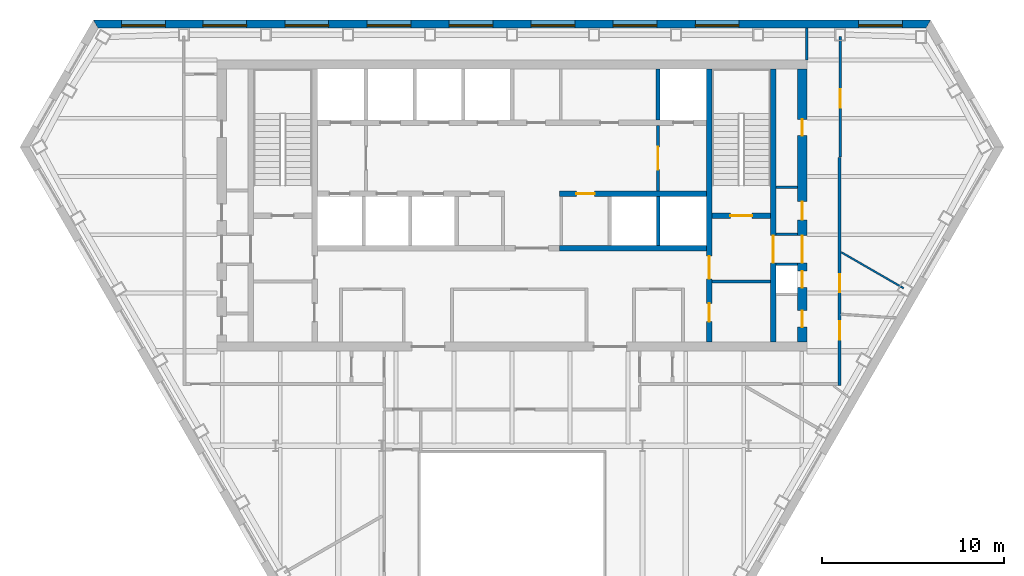
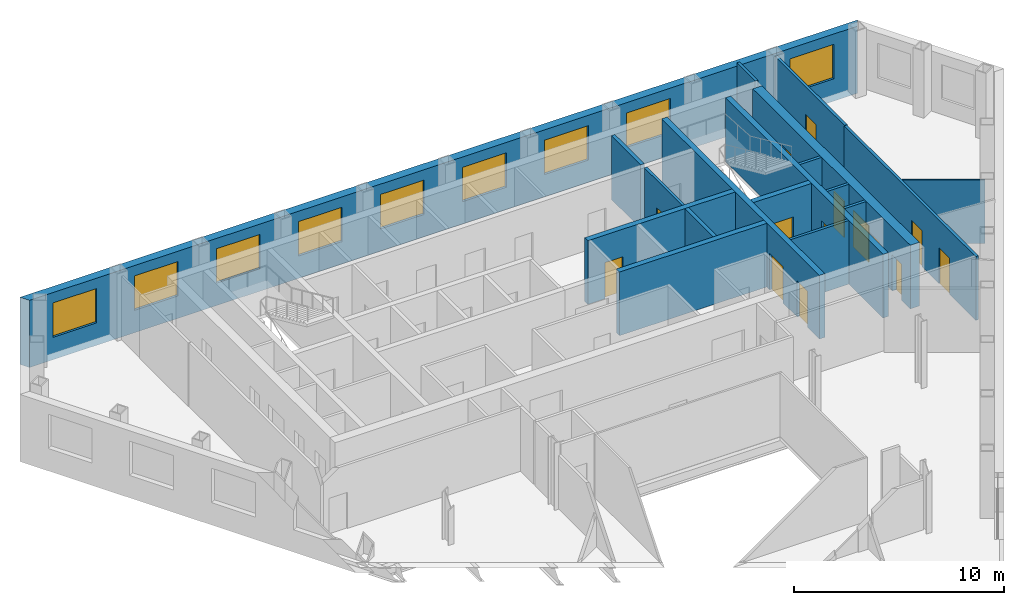
# One storey, part 7 of 11: 18 walls, 14 doors, 9 windows, 23 openings.
"""IFC4 building model written with IfcOpenShell, lengths in metres."""

from ifc_helpers import new_model, si_unit, direction, frame, frame_2d, origin, place, context, subcontext, project, spatial, polyline, rectangle, outline, extrude, material, layer, layer_set, type_object, element, fill, save


model = new_model("IFC4")

# Units and contexts
model_context = context("Model", 3, precision=1e-05, world=origin(), true_north=direction((0.0, 1.0)))
body_context = subcontext(model_context, "Body", "Model", "MODEL_VIEW")
ifc_project = project(units=[si_unit("LENGTHUNIT", "METRE"), si_unit("AREAUNIT", "SQUARE_METRE"), si_unit("VOLUMEUNIT", "CUBIC_METRE"), si_unit("PLANEANGLEUNIT", "RADIAN"), si_unit("MASSUNIT", "GRAM", prefix="KILO")], contexts=[model_context])

# Site, building, storey
site_placement = place(None, origin())
site = spatial("IfcSite", under=ifc_project, at=site_placement, CompositionType="ELEMENT")
building_placement = place(site_placement, origin())
building = spatial("IfcBuilding", under=site, at=building_placement, Name="Njiva Tower", CompositionType="ELEMENT")
storey_placement = place(building_placement, frame((0.0, 0.0, 178.8)))
storey = spatial("IfcBuildingStorey", under=building, at=storey_placement, Name="L39", CompositionType="ELEMENT", Elevation=178.8)

# Walls
ifc_material_1 = material(Name="Blockwork", Category="masonry")
ifc_layer_1 = layer(ifc_material_1, 0.15)
ifc_layer_set_1 = layer_set([ifc_layer_1], Name="Blockwork")
wall_type_1 = type_object("IfcWallType", Name="WT1 Compartment partition 150", PredefinedType="PARTITIONING", material=ifc_layer_set_1)
wall_1_placement = place(storey_placement, frame((11.0, 5.825, 0.0), z_axis=(0.0, 0.0, 1.0), x_axis=(1.0, 0.0, 0.0)))
element("IfcWall", 1, at=wall_1_placement, inside=storey, type_object=wall_type_1, Name="Room wall B", PredefinedType="PARTITIONING", context=body_context, shape_type="SweptSolid", body=[
    extrude(rectangle(XDim=3.2, YDim=0.15, at=frame_2d((1.6, 0.0))), origin(), (0.0, 0.0, 1.0), 3.7),
])
wall_2_placement = place(storey_placement, frame((14.5, 11.0067, 0.0), z_axis=(0.0, 0.0, 1.0), x_axis=(1.0, 0.0, 0.0)))
element("IfcWall", 2, at=wall_2_placement, inside=storey, type_object=wall_type_1, Name="Partition strip E10", PredefinedType="PARTITIONING", context=body_context, shape_type="SweptSolid", body=[
    extrude(rectangle(XDim=1.2, YDim=0.15, at=frame_2d((0.6, 0.0))), origin(), (0.0, 0.0, 1.0), 3.7),
])

# Wall, openings, doors
ifc_material_2 = material(Name="Concrete C40/50", Category="concrete")
ifc_layer_2 = layer(ifc_material_2, 0.3)
ifc_layer_set_2 = layer_set([ifc_layer_2], Name="Concrete C40/50")
wall_type_2 = type_object("IfcWallType", Name="WT10 Stair enclosure wall 300", PredefinedType="SHEAR", material=ifc_layer_set_2)
wall_3_placement = place(storey_placement, frame((10.85, 2.5, 0.0), z_axis=(0.0, 0.0, 1.0), x_axis=(0.0, 1.0, 0.0)))
wall_3 = element("IfcWall", 3, at=wall_3_placement, inside=storey, type_object=wall_type_2, Name="Stair wall east inner", PredefinedType="SHEAR", context=body_context, shape_type="SweptSolid", body=[
    extrude(rectangle(XDim=15.0, YDim=0.3, at=frame_2d((7.5, 0.0))), origin(), (0.0, 0.0, 1.0), 3.7),
])
opening_1_placement = place(wall_3_placement, frame((3.475, 0.0, 0.0)))
opening_1 = element("IfcOpeningElement", 4, at=opening_1_placement, cuts=wall_3, Name="Opening S13-D919", PredefinedType="OPENING", context=body_context, shape_type="SweptSolid", body=[
    extrude(rectangle(XDim=1.25, YDim=2.1, at=frame_2d((0.625, 1.05))), frame((0.0, 0.16, 0.0), z_axis=(0.0, -1.0, 0.0), x_axis=(1.0, 0.0, 0.0)), (0.0, 0.0, 1.0), 0.32),
])
opening_2_placement = place(wall_3_placement, frame((1.125, 0.0, 0.0)))
opening_2 = element("IfcOpeningElement", 5, at=opening_2_placement, cuts=wall_3, Name="Opening S13-D920", PredefinedType="OPENING", context=body_context, shape_type="SweptSolid", body=[
    extrude(rectangle(XDim=1.0, YDim=2.1, at=frame_2d((0.5, 1.05))), frame((0.0, 0.16, 0.0), z_axis=(0.0, -1.0, 0.0), x_axis=(1.0, 0.0, 0.0)), (0.0, 0.0, 1.0), 0.32),
])
ifc_material_3 = material(Name="Steel door, painted", Category="steel")
door_type_1 = type_object("IfcDoorType", Name="D5 Steel door 1000x2100", OperationType="SINGLE_SWING_LEFT", PredefinedType="DOOR", material=ifc_material_3)
door_1_placement = place(opening_2_placement, origin())
door_1 = element("IfcDoor", 6, at=door_1_placement, inside=storey, type_object=door_type_1, Name="Business centre door", OperationType="SINGLE_SWING_LEFT", OverallHeight=2.1, OverallWidth=1.0, PredefinedType="DOOR", context=body_context, shape_type="SweptSolid", body=[
    extrude(rectangle(XDim=1.0, YDim=2.1, at=frame_2d((0.5, 1.05))), frame((0.0, 0.025, 0.0), z_axis=(0.0, -1.0, 0.0), x_axis=(1.0, 0.0, 0.0)), (0.0, 0.0, 1.0), 0.05),
])
fill(opening_2, door_1)
ifc_material_4 = material(Name="Glazed steel fire door", Category="steel")
door_type_2 = type_object("IfcDoorType", Name="D8 Vestibule corridor door 1250x2100 glazed", OperationType="SINGLE_SWING_LEFT", PredefinedType="DOOR", material=ifc_material_4)
door_2_placement = place(opening_1_placement, origin())
door_2 = element("IfcDoor", 7, at=door_2_placement, inside=storey, type_object=door_type_2, Name="Stair vestibule corridor door", OperationType="SINGLE_SWING_RIGHT", OverallHeight=2.1, OverallWidth=1.25, PredefinedType="DOOR", context=body_context, shape_type="SweptSolid", body=[
    extrude(rectangle(XDim=1.25, YDim=2.1, at=frame_2d((0.625, 1.05))), frame((0.0, 0.025, 0.0), z_axis=(0.0, -1.0, 0.0), x_axis=(1.0, 0.0, 0.0)), (0.0, 0.0, 1.0), 0.05),
])
fill(opening_1, door_2)

# Wall, opening, door
wall_4_placement = place(storey_placement, frame((14.35, 2.5, 0.0), z_axis=(0.0, 0.0, 1.0), x_axis=(0.0, 1.0, 0.0)))
wall_4 = element("IfcWall", 8, at=wall_4_placement, inside=storey, type_object=wall_type_2, Name="Stair wall east outer", PredefinedType="SHEAR", context=body_context, shape_type="SweptSolid", body=[
    extrude(rectangle(XDim=15.0, YDim=0.3, at=frame_2d((7.5, 0.0))), origin(), (0.0, 0.0, 1.0), 3.7),
])
opening_3_placement = place(wall_4_placement, frame((4.35, 0.0, 0.0)))
opening_3 = element("IfcOpeningElement", 9, at=opening_3_placement, cuts=wall_4, Name="Opening S13-D927", PredefinedType="OPENING", context=body_context, shape_type="SweptSolid", body=[
    extrude(rectangle(XDim=1.5, YDim=2.1, at=frame_2d((0.75, 1.05))), frame((0.0, 0.16, 0.0), z_axis=(0.0, -1.0, 0.0), x_axis=(1.0, 0.0, 0.0)), (0.0, 0.0, 1.0), 0.32),
])
door_type_3 = type_object("IfcDoorType", Name="D10 Exit door double 1500x2100 glazed", OperationType="DOUBLE_DOOR_SINGLE_SWING", PredefinedType="DOOR", material=ifc_material_4)
door_3_placement = place(opening_3_placement, origin())
door_3 = element("IfcDoor", 10, at=door_3_placement, inside=storey, type_object=door_type_3, Name="Stair B passage door", OperationType="DOUBLE_DOOR_SINGLE_SWING", OverallHeight=2.1, OverallWidth=1.5, PredefinedType="DOOR", context=body_context, shape_type="SweptSolid", body=[
    extrude(rectangle(XDim=1.5, YDim=2.1, at=frame_2d((0.75, 1.05))), frame((0.0, 0.025, 0.0), z_axis=(0.0, -1.0, 0.0), x_axis=(1.0, 0.0, 0.0)), (0.0, 0.0, 1.0), 0.05),
])
fill(opening_3, door_3)

wall_5_placement = place(storey_placement, frame((11.0, 9.45, 0.0), z_axis=(0.0, 0.0, 1.0), x_axis=(1.0, 0.0, 0.0)))
wall_5 = element("IfcWall", 11, at=wall_5_placement, inside=storey, type_object=wall_type_2, Name="Stair B south wall", PredefinedType="SHEAR", context=body_context, shape_type="SweptSolid", body=[
    extrude(rectangle(XDim=3.2, YDim=0.3, at=frame_2d((1.6, 0.0))), origin(), (0.0, 0.0, 1.0), 3.7),
])
opening_4_placement = place(wall_5_placement, frame((1.0, 0.0, 0.0)))
opening_4 = element("IfcOpeningElement", 12, at=opening_4_placement, cuts=wall_5, Name="Opening S13-D918", PredefinedType="OPENING", context=body_context, shape_type="SweptSolid", body=[
    extrude(rectangle(XDim=1.2, YDim=2.1, at=frame_2d((0.6, 1.05))), frame((0.0, 0.16, 0.0), z_axis=(0.0, -1.0, 0.0), x_axis=(1.0, 0.0, 0.0)), (0.0, 0.0, 1.0), 0.32),
])
door_type_4 = type_object("IfcDoorType", Name="D7 Stair vestibule door 1200x2100 glazed", OperationType="SINGLE_SWING_LEFT", PredefinedType="DOOR", material=ifc_material_4)
door_4_placement = place(opening_4_placement, origin())
door_4 = element("IfcDoor", 13, at=door_4_placement, inside=storey, type_object=door_type_4, Name="Stair B door", OperationType="SINGLE_SWING_LEFT", OverallHeight=2.1, OverallWidth=1.2, PredefinedType="DOOR", context=body_context, shape_type="SweptSolid", body=[
    extrude(rectangle(XDim=1.2, YDim=2.1, at=frame_2d((0.6, 1.05))), frame((0.0, 0.025, 0.0), z_axis=(0.0, -1.0, 0.0), x_axis=(1.0, 0.0, 0.0)), (0.0, 0.0, 1.0), 0.05),
])
fill(opening_4, door_4)

# Wall, openings, doors
ifc_material_5 = material(Name="Concrete C60/75", Category="concrete")
ifc_layer_3 = layer(ifc_material_5, 0.5)
ifc_layer_set_3 = layer_set([ifc_layer_3], Name="Concrete C60/75")
wall_type_3 = type_object("IfcWallType", Name="WT13 Core wall 500", PredefinedType="SHEAR", material=ifc_layer_set_3)
wall_6_placement = place(storey_placement, frame((15.95, 2.5, 0.0), z_axis=(0.0, 0.0, 1.0), x_axis=(0.0, 1.0, 0.0)))
wall_6 = element("IfcWall", 14, at=wall_6_placement, inside=storey, type_object=wall_type_3, Name="Core wall east", PredefinedType="SHEAR", context=body_context, shape_type="SweptSolid", body=[
    extrude(rectangle(XDim=15.0, YDim=0.5, at=frame_2d((7.5, 0.0))), origin(), (0.0, 0.0, 1.0), 3.7),
])
opening_5_placement = place(wall_6_placement, frame((4.35, 0.0, 0.0)))
opening_5 = element("IfcOpeningElement", 15, at=opening_5_placement, cuts=wall_6, Name="Opening S13-D928", PredefinedType="OPENING", context=body_context, shape_type="SweptSolid", body=[
    extrude(rectangle(XDim=1.5, YDim=2.1, at=frame_2d((0.75, 1.05))), frame((0.0, 0.26, 0.0), z_axis=(0.0, -1.0, 0.0), x_axis=(1.0, 0.0, 0.0)), (0.0, 0.0, 1.0), 0.52),
])
opening_6_placement = place(wall_6_placement, frame((0.825, 0.0, 0.0)))
opening_6 = element("IfcOpeningElement", 16, at=opening_6_placement, cuts=wall_6, Name="Opening S13-D929", PredefinedType="OPENING", context=body_context, shape_type="SweptSolid", body=[
    extrude(rectangle(XDim=0.9, YDim=2.1, at=frame_2d((0.45, 1.05))), frame((0.0, 0.26, 0.0), z_axis=(0.0, -1.0, 0.0), x_axis=(1.0, 0.0, 0.0)), (0.0, 0.0, 1.0), 0.52),
])
opening_7_placement = place(wall_6_placement, frame((3.0, 0.0, 0.0)))
opening_7 = element("IfcOpeningElement", 17, at=opening_7_placement, cuts=wall_6, Name="Opening S13-D930", PredefinedType="OPENING", context=body_context, shape_type="SweptSolid", body=[
    extrude(rectangle(XDim=0.9, YDim=2.1, at=frame_2d((0.45, 1.05))), frame((0.0, 0.26, 0.0), z_axis=(0.0, -1.0, 0.0), x_axis=(1.0, 0.0, 0.0)), (0.0, 0.0, 1.0), 0.52),
])
opening_8_placement = place(wall_6_placement, frame((6.7158, 0.0, 0.0)))
opening_8 = element("IfcOpeningElement", 18, at=opening_8_placement, cuts=wall_6, Name="Opening S13-D931", PredefinedType="OPENING", context=body_context, shape_type="SweptSolid", body=[
    extrude(rectangle(XDim=1.0, YDim=2.1, at=frame_2d((0.5, 1.05))), frame((0.0, 0.26, 0.0), z_axis=(0.0, -1.0, 0.0), x_axis=(1.0, 0.0, 0.0)), (0.0, 0.0, 1.0), 0.52),
])
opening_9_placement = place(wall_6_placement, frame((11.3408, 0.0, 0.0)))
opening_9 = element("IfcOpeningElement", 19, at=opening_9_placement, cuts=wall_6, Name="Opening S13-D932", PredefinedType="OPENING", context=body_context, shape_type="SweptSolid", body=[
    extrude(rectangle(XDim=0.9, YDim=2.1, at=frame_2d((0.45, 1.05))), frame((0.0, 0.26, 0.0), z_axis=(0.0, -1.0, 0.0), x_axis=(1.0, 0.0, 0.0)), (0.0, 0.0, 1.0), 0.52),
])
door_5_placement = place(opening_5_placement, origin())
door_5 = element("IfcDoor", 20, at=door_5_placement, inside=storey, type_object=door_type_3, Name="Stair B corridor door", OperationType="DOUBLE_DOOR_SINGLE_SWING", OverallHeight=2.1, OverallWidth=1.5, PredefinedType="DOOR", context=body_context, shape_type="SweptSolid", body=[
    extrude(rectangle(XDim=1.5, YDim=2.1, at=frame_2d((0.75, 1.05))), frame((0.0, 0.025, 0.0), z_axis=(0.0, -1.0, 0.0), x_axis=(1.0, 0.0, 0.0)), (0.0, 0.0, 1.0), 0.05),
])
fill(opening_5, door_5)
door_type_5 = type_object("IfcDoorType", Name="D4 Riser door 900x2100", OperationType="SINGLE_SWING_LEFT", PredefinedType="DOOR", material=ifc_material_3)
door_6_placement = place(opening_7_placement, origin())
door_6 = element("IfcDoor", 21, at=door_6_placement, inside=storey, type_object=door_type_5, Name="Cable riser door", OperationType="SINGLE_SWING_LEFT", OverallHeight=2.1, OverallWidth=0.9, PredefinedType="DOOR", context=body_context, shape_type="SweptSolid", body=[
    extrude(rectangle(XDim=0.9, YDim=2.1, at=frame_2d((0.45, 1.05))), frame((0.0, 0.025, 0.0), z_axis=(0.0, -1.0, 0.0), x_axis=(1.0, 0.0, 0.0)), (0.0, 0.0, 1.0), 0.05),
])
fill(opening_7, door_6)
door_7_placement = place(opening_8_placement, origin())
door_7 = element("IfcDoor", 22, at=door_7_placement, inside=storey, type_object=door_type_1, Name="Telecoms room door", OperationType="SINGLE_SWING_LEFT", OverallHeight=2.1, OverallWidth=1.0, PredefinedType="DOOR", context=body_context, shape_type="SweptSolid", body=[
    extrude(rectangle(XDim=1.0, YDim=2.1, at=frame_2d((0.5, 1.05))), frame((0.0, 0.025, 0.0), z_axis=(0.0, -1.0, 0.0), x_axis=(1.0, 0.0, 0.0)), (0.0, 0.0, 1.0), 0.05),
])
fill(opening_8, door_7)
ifc_material_6 = material(Name="Steel fire door, painted", Category="steel")
door_type_6 = type_object("IfcDoorType", Name="D6 Fire-rated door 900x2100", OperationType="SINGLE_SWING_LEFT", PredefinedType="DOOR", material=ifc_material_6)
door_8_placement = place(opening_6_placement, origin())
door_8 = element("IfcDoor", 23, at=door_8_placement, inside=storey, type_object=door_type_6, Name="Cable store door", OperationType="SINGLE_SWING_LEFT", OverallHeight=2.1, OverallWidth=0.9, PredefinedType="DOOR", context=body_context, shape_type="SweptSolid", body=[
    extrude(rectangle(XDim=0.9, YDim=2.1, at=frame_2d((0.45, 1.05))), frame((0.0, 0.025, 0.0), z_axis=(0.0, -1.0, 0.0), x_axis=(1.0, 0.0, 0.0)), (0.0, 0.0, 1.0), 0.05),
])
fill(opening_6, door_8)
door_9_placement = place(opening_9_placement, origin())
door_9 = element("IfcDoor", 24, at=door_9_placement, inside=storey, type_object=door_type_6, Name="Cable store door", OperationType="SINGLE_SWING_RIGHT", OverallHeight=2.1, OverallWidth=0.9, PredefinedType="DOOR", context=body_context, shape_type="SweptSolid", body=[
    extrude(rectangle(XDim=0.9, YDim=2.1, at=frame_2d((0.45, 1.05))), frame((0.0, 0.025, 0.0), z_axis=(0.0, -1.0, 0.0), x_axis=(1.0, 0.0, 0.0)), (0.0, 0.0, 1.0), 0.05),
])
fill(opening_9, door_9)

# Wall, opening, door
ifc_layer_4 = layer(ifc_material_1, 0.15)
ifc_layer_set_4 = layer_set([ifc_layer_4], Name="Blockwork")
wall_type_4 = type_object("IfcWallType", Name="WT2 Lobby partition 150", PredefinedType="PARTITIONING", material=ifc_layer_set_4)
wall_7_placement = place(storey_placement, frame((8.025, 10.8, 0.0), z_axis=(0.0, 0.0, 1.0), x_axis=(0.0, 1.0, 0.0)))
wall_7 = element("IfcWall", 25, at=wall_7_placement, inside=storey, type_object=wall_type_4, Name="Firefighting lobby wall B", PredefinedType="PARTITIONING", context=body_context, shape_type="SweptSolid", body=[
    extrude(rectangle(XDim=3.6, YDim=0.15, at=frame_2d((1.8, 0.0))), origin(), (0.0, 0.0, 1.0), 3.7),
])
opening_10_placement = place(wall_7_placement, frame((1.175, 0.0, 0.0)))
opening_10 = element("IfcOpeningElement", 26, at=opening_10_placement, cuts=wall_7, Name="Opening S13-D917", PredefinedType="OPENING", context=body_context, shape_type="SweptSolid", body=[
    extrude(rectangle(XDim=1.25, YDim=2.1, at=frame_2d((0.625, 1.05))), frame((0.0, 0.085, 0.0), z_axis=(0.0, -1.0, 0.0), x_axis=(1.0, 0.0, 0.0)), (0.0, 0.0, 1.0), 0.17),
])
door_10_placement = place(opening_10_placement, origin())
door_10 = element("IfcDoor", 27, at=door_10_placement, inside=storey, type_object=door_type_2, Name="Stair vestibule corridor door", OperationType="SINGLE_SWING_LEFT", OverallHeight=2.1, OverallWidth=1.25, PredefinedType="DOOR", context=body_context, shape_type="SweptSolid", body=[
    extrude(rectangle(XDim=1.25, YDim=2.1, at=frame_2d((0.625, 1.05))), frame((0.0, 0.025, 0.0), z_axis=(0.0, -1.0, 0.0), x_axis=(1.0, 0.0, 0.0)), (0.0, 0.0, 1.0), 0.05),
])
fill(opening_10, door_10)

# Walls
ifc_material_7 = material(Name="Gypsum board on steel studs", Category="gypsum")
ifc_layer_5 = layer(ifc_material_7, 0.1)
ifc_layer_set_5 = layer_set([ifc_layer_5], Name="Gypsum board on steel studs")
wall_type_5 = type_object("IfcWallType", Name="WT20 Gypsum partition 100", PredefinedType="PARTITIONING", material=ifc_layer_set_5)
wall_8_placement = place(storey_placement, frame((18.1, 7.434, 0.0), z_axis=(0.0, 0.0, 1.0), x_axis=(0.866113839764, -0.499846793097, 0.0)))
element("IfcWall", 28, at=wall_8_placement, inside=storey, type_object=wall_type_5, Name="Partition S13-P030", PredefinedType="PARTITIONING", context=body_context, shape_type="SweptSolid", body=[
    extrude(rectangle(XDim=3.9452, YDim=0.1, at=frame_2d((1.9726, 0.0))), origin(), (0.0, 0.0, 1.0), 3.7),
])
ifc_layer_6 = layer(ifc_material_7, 0.15)
ifc_layer_set_6 = layer_set([ifc_layer_6], Name="Gypsum board on steel studs")
wall_type_6 = type_object("IfcWallType", Name="WT21 Compartment wall 150", PredefinedType="PARTITIONING", material=ifc_layer_set_6)
wall_9_placement = place(storey_placement, frame((16.2, 18.0, 0.0), z_axis=(0.0, 0.0, 1.0), x_axis=(0.0, 1.0, 0.0)))
element("IfcWall", 29, at=wall_9_placement, inside=storey, type_object=wall_type_6, Name="Partition S13-P025", PredefinedType="PARTITIONING", context=body_context, shape_type="SweptSolid", body=[
    extrude(rectangle(XDim=1.75, YDim=0.15, at=frame_2d((0.875, 0.0))), origin(), (0.0, 0.0, 1.0), 3.7),
])

# Wall, openings, doors
wall_10_placement = place(storey_placement, frame((18.0, 0.125, 0.0), z_axis=(0.0, 0.0, 1.0), x_axis=(0.0, 1.0, 0.0)))
wall_10 = element("IfcWall", 30, at=wall_10_placement, inside=storey, type_object=wall_type_6, Name="Partition S13-P027", PredefinedType="PARTITIONING", context=body_context, shape_type="SweptSolid", body=[
    extrude(rectangle(XDim=12.531, YDim=0.15, at=frame_2d((6.2655, 0.0))), origin(), (0.0, 0.0, 1.0), 3.7),
])
opening_11_placement = place(wall_10_placement, frame((2.51, 0.0, 0.0)))
opening_11 = element("IfcOpeningElement", 31, at=opening_11_placement, cuts=wall_10, Name="Opening S13-D013", PredefinedType="OPENING", context=body_context, shape_type="SweptSolid", body=[
    extrude(rectangle(XDim=1.0, YDim=2.1, at=frame_2d((0.5, 1.05))), frame((0.0, 0.085, 0.0), z_axis=(0.0, -1.0, 0.0), x_axis=(1.0, 0.0, 0.0)), (0.0, 0.0, 1.0), 0.17),
])
opening_12_placement = place(wall_10_placement, frame((5.114, 0.0, 0.0)))
opening_12 = element("IfcOpeningElement", 32, at=opening_12_placement, cuts=wall_10, Name="Opening S13-D014", PredefinedType="OPENING", context=body_context, shape_type="SweptSolid", body=[
    extrude(rectangle(XDim=1.0, YDim=2.1, at=frame_2d((0.5, 1.05))), frame((0.0, 0.085, 0.0), z_axis=(0.0, -1.0, 0.0), x_axis=(1.0, 0.0, 0.0)), (0.0, 0.0, 1.0), 0.17),
])
ifc_material_8 = material(Name="Steel fire door set", Category="steel")
door_type_7 = type_object("IfcDoorType", Name="D37 Fire door 1000x2100", OperationType="SINGLE_SWING_LEFT", PredefinedType="DOOR", material=ifc_material_8)
door_11_placement = place(opening_11_placement, origin())
door_11 = element("IfcDoor", 33, at=door_11_placement, inside=storey, type_object=door_type_7, Name="Door S13-D013", OperationType="SINGLE_SWING_LEFT", OverallHeight=2.1, OverallWidth=1.0, PredefinedType="DOOR", context=body_context, shape_type="SweptSolid", body=[
    extrude(rectangle(XDim=1.0, YDim=2.1, at=frame_2d((0.5, 1.05))), frame((0.0, 0.025, 0.0), z_axis=(0.0, -1.0, 0.0), x_axis=(1.0, 0.0, 0.0)), (0.0, 0.0, 1.0), 0.05),
])
fill(opening_11, door_11)
door_12_placement = place(opening_12_placement, origin())
door_12 = element("IfcDoor", 34, at=door_12_placement, inside=storey, type_object=door_type_7, Name="Door S13-D014", OperationType="SINGLE_SWING_LEFT", OverallHeight=2.1, OverallWidth=1.0, PredefinedType="DOOR", context=body_context, shape_type="SweptSolid", body=[
    extrude(rectangle(XDim=1.0, YDim=2.1, at=frame_2d((0.5, 1.05))), frame((0.0, 0.025, 0.0), z_axis=(0.0, -1.0, 0.0), x_axis=(1.0, 0.0, 0.0)), (0.0, 0.0, 1.0), 0.05),
])
fill(opening_12, door_12)

# Wall, opening, door
wall_11_placement = place(storey_placement, frame((18.035, 12.678, 0.0), z_axis=(0.0, 0.0, 1.0), x_axis=(0.0, 1.0, 0.0)))
wall_11 = element("IfcWall", 35, at=wall_11_placement, inside=storey, type_object=wall_type_6, Name="Partition S13-P028", PredefinedType="PARTITIONING", context=body_context, shape_type="SweptSolid", body=[
    extrude(rectangle(XDim=6.622, YDim=0.15, at=frame_2d((3.311, 0.0))), origin(), (0.0, 0.0, 1.0), 3.7),
])
opening_13_placement = place(wall_11_placement, frame((2.711, 0.0, 0.0)))
opening_13 = element("IfcOpeningElement", 36, at=opening_13_placement, cuts=wall_11, Name="Opening S13-D015", PredefinedType="OPENING", context=body_context, shape_type="SweptSolid", body=[
    extrude(rectangle(XDim=1.0, YDim=2.1, at=frame_2d((0.5, 1.05))), frame((0.0, 0.085, 0.0), z_axis=(0.0, -1.0, 0.0), x_axis=(1.0, 0.0, 0.0)), (0.0, 0.0, 1.0), 0.17),
])
door_13_placement = place(opening_13_placement, origin())
door_13 = element("IfcDoor", 37, at=door_13_placement, inside=storey, type_object=door_type_7, Name="Door S13-D015", OperationType="SINGLE_SWING_LEFT", OverallHeight=2.1, OverallWidth=1.0, PredefinedType="DOOR", context=body_context, shape_type="SweptSolid", body=[
    extrude(rectangle(XDim=1.0, YDim=2.1, at=frame_2d((0.5, 1.05))), frame((0.0, 0.025, 0.0), z_axis=(0.0, -1.0, 0.0), x_axis=(1.0, 0.0, 0.0)), (0.0, 0.0, 1.0), 0.05),
])
fill(opening_13, door_13)

# Walls
ifc_layer_7 = layer(ifc_material_1, 0.15)
ifc_layer_set_7 = layer_set([ifc_layer_7], Name="Blockwork")
wall_type_7 = type_object("IfcWallType", Name="WT4 Stair partition 150", PredefinedType="PARTITIONING", material=ifc_layer_set_7)
for number, where, z_axis, x_axis, name in (
    (38, (14.5, 6.775, 0.0), (0.0, 0.0, 1.0), (1.0, 0.0, 0.0), "Stair B exit passage wall south"),
    (39, (14.5, 8.425, 0.0), (0.0, 0.0, 1.0), (1.0, 0.0, 0.0), "Stair B exit passage wall north"),
):
    element("IfcWall", number, at=place(storey_placement, frame(where, z_axis=z_axis, x_axis=x_axis)), inside=storey, type_object=wall_type_7, Name=name, PredefinedType="PARTITIONING", context=body_context, shape_type="SweptSolid", body=[
        extrude(rectangle(XDim=1.2, YDim=0.15, at=frame_2d((0.6, 0.0))), origin(), (0.0, 0.0, 1.0), 3.7),
    ])
ifc_layer_8 = layer(ifc_material_2, 0.2)
ifc_layer_set_8 = layer_set([ifc_layer_8], Name="Concrete C40/50")
wall_type_8 = type_object("IfcWallType", Name="WT6 Lift shaft wall 200", PredefinedType="SHEAR", material=ifc_layer_set_8)
wall_12_placement = place(storey_placement, frame((8.025, 14.7, 0.0), z_axis=(0.0, 0.0, 1.0), x_axis=(0.0, 1.0, 0.0)))
element("IfcWall", 40, at=wall_12_placement, inside=storey, type_object=wall_type_8, Name="Shaft wall CN7", PredefinedType="SHEAR", context=body_context, shape_type="SweptSolid", body=[
    extrude(rectangle(XDim=2.8, YDim=0.2, at=frame_2d((1.4, 0.0))), origin(), (0.0, 0.0, 1.0), 3.7),
])
wall_13_placement = place(storey_placement, frame((8.0333, 7.8, 0.0), z_axis=(0.0, 0.0, 1.0), x_axis=(0.0, 1.0, 0.0)))
element("IfcWall", 41, at=wall_13_placement, inside=storey, type_object=wall_type_8, Name="Shaft wall CS7", PredefinedType="SHEAR", context=body_context, shape_type="SweptSolid", body=[
    extrude(rectangle(XDim=2.7, YDim=0.2, at=frame_2d((1.35, 0.0))), origin(), (0.0, 0.0, 1.0), 3.7),
])

# Wall, opening, door
ifc_layer_9 = layer(ifc_material_2, 0.3)
ifc_layer_set_9 = layer_set([ifc_layer_9], Name="Concrete C40/50")
wall_type_9 = type_object("IfcWallType", Name="WT7 Lift shaft wall 300", PredefinedType="SHEAR", material=ifc_layer_set_9)
wall_14_placement = place(storey_placement, frame((2.6, 10.65, 0.0), z_axis=(0.0, 0.0, 1.0), x_axis=(1.0, 0.0, 0.0)))
wall_14 = element("IfcWall", 42, at=wall_14_placement, inside=storey, type_object=wall_type_9, Name="Shaft wall south row lobby side E", PredefinedType="SHEAR", context=body_context, shape_type="SweptSolid", body=[
    extrude(rectangle(XDim=8.1, YDim=0.3, at=frame_2d((4.05, 0.0))), origin(), (0.0, 0.0, 1.0), 3.7),
])
opening_14_placement = place(wall_14_placement, frame((0.9334, 0.0, 0.0)))
opening_14 = element("IfcOpeningElement", 43, at=opening_14_placement, cuts=wall_14, Name="Opening S13-D912", PredefinedType="OPENING", context=body_context, shape_type="SweptSolid", body=[
    extrude(rectangle(XDim=1.0, YDim=2.1, at=frame_2d((0.5, 1.05))), frame((0.0, 0.16, 0.0), z_axis=(0.0, -1.0, 0.0), x_axis=(1.0, 0.0, 0.0)), (0.0, 0.0, 1.0), 0.32),
])
door_14_placement = place(opening_14_placement, origin())
door_14 = element("IfcDoor", 44, at=door_14_placement, inside=storey, type_object=door_type_1, Name="Meeting room door", OperationType="SINGLE_SWING_LEFT", OverallHeight=2.1, OverallWidth=1.0, PredefinedType="DOOR", context=body_context, shape_type="SweptSolid", body=[
    extrude(rectangle(XDim=1.0, YDim=2.1, at=frame_2d((0.5, 1.05))), frame((0.0, 0.025, 0.0), z_axis=(0.0, -1.0, 0.0), x_axis=(1.0, 0.0, 0.0)), (0.0, 0.0, 1.0), 0.05),
])
fill(opening_14, door_14)

# Wall
wall_15_placement = place(storey_placement, frame((2.6, 7.65, 0.0), z_axis=(0.0, 0.0, 1.0), x_axis=(1.0, 0.0, 0.0)))
element("IfcWall", 45, at=wall_15_placement, inside=storey, type_object=wall_type_9, Name="Shaft wall south row back E", PredefinedType="SHEAR", context=body_context, shape_type="SweptSolid", body=[
    extrude(rectangle(XDim=8.1, YDim=0.3, at=frame_2d((4.05, 0.0))), origin(), (0.0, 0.0, 1.0), 3.7),
])

# Wall, openings, windows
ifc_material_9 = material(Name="Brick masonry", Category="masonry")
ifc_layer_10 = layer(ifc_material_9, 0.45)
ifc_layer_set_10 = layer_set([ifc_layer_10], Name="Brick masonry")
wall_type_10 = type_object("IfcWallType", Name="WT90 Brick pier and spandrel wall 450", PredefinedType="SOLIDWALL", material=ifc_layer_set_10)
wall_16_placement = place(storey_placement, frame((22.8751, 19.975, -0.4), z_axis=(0.0, 0.0, 1.0), x_axis=(-1.0, 0.0, 0.0)))
wall_16 = element("IfcWall", 46, at=wall_16_placement, inside=storey, type_object=wall_type_10, Name="Facade wall N", PredefinedType="SOLIDWALL", context=body_context, shape_type="SweptSolid", body=[
    extrude(outline(polyline([(-0.1299, -0.225), (45.8801, -0.225), (45.6203, 0.225), (0.1299, 0.225), (-0.1299, -0.225)])), origin(), (0.0, 0.0, 1.0), 3.9),
])
opening_15_placement = place(wall_16_placement, frame((1.4247, 0.0, 1.3)))
opening_15 = element("IfcOpeningElement", 47, at=opening_15_placement, cuts=wall_16, Name="Opening S13-W01", PredefinedType="OPENING", context=body_context, shape_type="SweptSolid", body=[
    extrude(rectangle(XDim=2.4, YDim=2.0, at=frame_2d((1.2, 1.0))), frame((0.0, 0.235, 0.0), z_axis=(0.0, -1.0, 0.0), x_axis=(1.0, 0.0, 0.0)), (0.0, 0.0, 1.0), 0.47),
])
opening_16_placement = place(wall_16_placement, frame((10.4035, 0.0, 1.3)))
opening_16 = element("IfcOpeningElement", 48, at=opening_16_placement, cuts=wall_16, Name="Opening S13-W02", PredefinedType="OPENING", context=body_context, shape_type="SweptSolid", body=[
    extrude(rectangle(XDim=2.4, YDim=2.0, at=frame_2d((1.2, 1.0))), frame((0.0, 0.235, 0.0), z_axis=(0.0, -1.0, 0.0), x_axis=(1.0, 0.0, 0.0)), (0.0, 0.0, 1.0), 0.47),
])
opening_17_placement = place(wall_16_placement, frame((14.9122, 0.0, 1.3)))
opening_17 = element("IfcOpeningElement", 49, at=opening_17_placement, cuts=wall_16, Name="Opening S13-W03", PredefinedType="OPENING", context=body_context, shape_type="SweptSolid", body=[
    extrude(rectangle(XDim=2.4, YDim=2.0, at=frame_2d((1.2, 1.0))), frame((0.0, 0.235, 0.0), z_axis=(0.0, -1.0, 0.0), x_axis=(1.0, 0.0, 0.0)), (0.0, 0.0, 1.0), 0.47),
])
opening_18_placement = place(wall_16_placement, frame((19.4208, 0.0, 1.3)))
opening_18 = element("IfcOpeningElement", 50, at=opening_18_placement, cuts=wall_16, Name="Opening S13-W04", PredefinedType="OPENING", context=body_context, shape_type="SweptSolid", body=[
    extrude(rectangle(XDim=2.4, YDim=2.0, at=frame_2d((1.2, 1.0))), frame((0.0, 0.235, 0.0), z_axis=(0.0, -1.0, 0.0), x_axis=(1.0, 0.0, 0.0)), (0.0, 0.0, 1.0), 0.47),
])
opening_19_placement = place(wall_16_placement, frame((23.9294, 0.0, 1.3)))
opening_19 = element("IfcOpeningElement", 51, at=opening_19_placement, cuts=wall_16, Name="Opening S13-W05", PredefinedType="OPENING", context=body_context, shape_type="SweptSolid", body=[
    extrude(rectangle(XDim=2.4, YDim=2.0, at=frame_2d((1.2, 1.0))), frame((0.0, 0.235, 0.0), z_axis=(0.0, -1.0, 0.0), x_axis=(1.0, 0.0, 0.0)), (0.0, 0.0, 1.0), 0.47),
])
opening_20_placement = place(wall_16_placement, frame((28.438, 0.0, 1.3)))
opening_20 = element("IfcOpeningElement", 52, at=opening_20_placement, cuts=wall_16, Name="Opening S13-W06", PredefinedType="OPENING", context=body_context, shape_type="SweptSolid", body=[
    extrude(rectangle(XDim=2.4, YDim=2.0, at=frame_2d((1.2, 1.0))), frame((0.0, 0.235, 0.0), z_axis=(0.0, -1.0, 0.0), x_axis=(1.0, 0.0, 0.0)), (0.0, 0.0, 1.0), 0.47),
])
opening_21_placement = place(wall_16_placement, frame((32.9466, 0.0, 1.3)))
opening_21 = element("IfcOpeningElement", 53, at=opening_21_placement, cuts=wall_16, Name="Opening S13-W07", PredefinedType="OPENING", context=body_context, shape_type="SweptSolid", body=[
    extrude(rectangle(XDim=2.4, YDim=2.0, at=frame_2d((1.2, 1.0))), frame((0.0, 0.235, 0.0), z_axis=(0.0, -1.0, 0.0), x_axis=(1.0, 0.0, 0.0)), (0.0, 0.0, 1.0), 0.47),
])
opening_22_placement = place(wall_16_placement, frame((37.4553, 0.0, 1.3)))
opening_22 = element("IfcOpeningElement", 54, at=opening_22_placement, cuts=wall_16, Name="Opening S13-W08", PredefinedType="OPENING", context=body_context, shape_type="SweptSolid", body=[
    extrude(rectangle(XDim=2.4, YDim=2.0, at=frame_2d((1.2, 1.0))), frame((0.0, 0.235, 0.0), z_axis=(0.0, -1.0, 0.0), x_axis=(1.0, 0.0, 0.0)), (0.0, 0.0, 1.0), 0.47),
])
opening_23_placement = place(wall_16_placement, frame((41.9255, 0.0, 1.3)))
opening_23 = element("IfcOpeningElement", 55, at=opening_23_placement, cuts=wall_16, Name="Opening S13-W09", PredefinedType="OPENING", context=body_context, shape_type="SweptSolid", body=[
    extrude(rectangle(XDim=2.4, YDim=2.0, at=frame_2d((1.2, 1.0))), frame((0.0, 0.235, 0.0), z_axis=(0.0, -1.0, 0.0), x_axis=(1.0, 0.0, 0.0)), (0.0, 0.0, 1.0), 0.47),
])
ifc_material_10 = material(Name="Clear glazing in aluminium frame", Category="aluminium")
window_type = type_object("IfcWindowType", Name="W90 Deep-set window 2400x2000", PartitioningType="SINGLE_PANEL", PredefinedType="WINDOW", material=ifc_material_10)
window_1_placement = place(opening_15_placement, origin())
window_1 = element("IfcWindow", 56, at=window_1_placement, inside=storey, type_object=window_type, Name="Window", OverallHeight=2.0, OverallWidth=2.4, PartitioningType="SINGLE_PANEL", PredefinedType="WINDOW", context=body_context, shape_type="SweptSolid", body=[
    extrude(rectangle(XDim=2.4, YDim=2.0, at=frame_2d((1.2, 1.0))), frame((0.0, 0.105, 0.0), z_axis=(0.0, -1.0, 0.0), x_axis=(1.0, 0.0, 0.0)), (0.0, 0.0, 1.0), 0.06),
])
fill(opening_15, window_1)
window_2_placement = place(opening_16_placement, origin())
window_2 = element("IfcWindow", 57, at=window_2_placement, inside=storey, type_object=window_type, Name="Window", OverallHeight=2.0, OverallWidth=2.4, PartitioningType="SINGLE_PANEL", PredefinedType="WINDOW", context=body_context, shape_type="SweptSolid", body=[
    extrude(rectangle(XDim=2.4, YDim=2.0, at=frame_2d((1.2, 1.0))), frame((0.0, 0.105, 0.0), z_axis=(0.0, -1.0, 0.0), x_axis=(1.0, 0.0, 0.0)), (0.0, 0.0, 1.0), 0.06),
])
fill(opening_16, window_2)
window_3_placement = place(opening_17_placement, origin())
window_3 = element("IfcWindow", 58, at=window_3_placement, inside=storey, type_object=window_type, Name="Window", OverallHeight=2.0, OverallWidth=2.4, PartitioningType="SINGLE_PANEL", PredefinedType="WINDOW", context=body_context, shape_type="SweptSolid", body=[
    extrude(rectangle(XDim=2.4, YDim=2.0, at=frame_2d((1.2, 1.0))), frame((0.0, 0.105, 0.0), z_axis=(0.0, -1.0, 0.0), x_axis=(1.0, 0.0, 0.0)), (0.0, 0.0, 1.0), 0.06),
])
fill(opening_17, window_3)
window_4_placement = place(opening_18_placement, origin())
window_4 = element("IfcWindow", 59, at=window_4_placement, inside=storey, type_object=window_type, Name="Window", OverallHeight=2.0, OverallWidth=2.4, PartitioningType="SINGLE_PANEL", PredefinedType="WINDOW", context=body_context, shape_type="SweptSolid", body=[
    extrude(rectangle(XDim=2.4, YDim=2.0, at=frame_2d((1.2, 1.0))), frame((0.0, 0.105, 0.0), z_axis=(0.0, -1.0, 0.0), x_axis=(1.0, 0.0, 0.0)), (0.0, 0.0, 1.0), 0.06),
])
fill(opening_18, window_4)
window_5_placement = place(opening_19_placement, origin())
window_5 = element("IfcWindow", 60, at=window_5_placement, inside=storey, type_object=window_type, Name="Window", OverallHeight=2.0, OverallWidth=2.4, PartitioningType="SINGLE_PANEL", PredefinedType="WINDOW", context=body_context, shape_type="SweptSolid", body=[
    extrude(rectangle(XDim=2.4, YDim=2.0, at=frame_2d((1.2, 1.0))), frame((0.0, 0.105, 0.0), z_axis=(0.0, -1.0, 0.0), x_axis=(1.0, 0.0, 0.0)), (0.0, 0.0, 1.0), 0.06),
])
fill(opening_19, window_5)
window_6_placement = place(opening_20_placement, origin())
window_6 = element("IfcWindow", 61, at=window_6_placement, inside=storey, type_object=window_type, Name="Window", OverallHeight=2.0, OverallWidth=2.4, PartitioningType="SINGLE_PANEL", PredefinedType="WINDOW", context=body_context, shape_type="SweptSolid", body=[
    extrude(rectangle(XDim=2.4, YDim=2.0, at=frame_2d((1.2, 1.0))), frame((0.0, 0.105, 0.0), z_axis=(0.0, -1.0, 0.0), x_axis=(1.0, 0.0, 0.0)), (0.0, 0.0, 1.0), 0.06),
])
fill(opening_20, window_6)
window_7_placement = place(opening_21_placement, origin())
window_7 = element("IfcWindow", 62, at=window_7_placement, inside=storey, type_object=window_type, Name="Window", OverallHeight=2.0, OverallWidth=2.4, PartitioningType="SINGLE_PANEL", PredefinedType="WINDOW", context=body_context, shape_type="SweptSolid", body=[
    extrude(rectangle(XDim=2.4, YDim=2.0, at=frame_2d((1.2, 1.0))), frame((0.0, 0.105, 0.0), z_axis=(0.0, -1.0, 0.0), x_axis=(1.0, 0.0, 0.0)), (0.0, 0.0, 1.0), 0.06),
])
fill(opening_21, window_7)
window_8_placement = place(opening_22_placement, origin())
window_8 = element("IfcWindow", 63, at=window_8_placement, inside=storey, type_object=window_type, Name="Window", OverallHeight=2.0, OverallWidth=2.4, PartitioningType="SINGLE_PANEL", PredefinedType="WINDOW", context=body_context, shape_type="SweptSolid", body=[
    extrude(rectangle(XDim=2.4, YDim=2.0, at=frame_2d((1.2, 1.0))), frame((0.0, 0.105, 0.0), z_axis=(0.0, -1.0, 0.0), x_axis=(1.0, 0.0, 0.0)), (0.0, 0.0, 1.0), 0.06),
])
fill(opening_22, window_8)
window_9_placement = place(opening_23_placement, origin())
window_9 = element("IfcWindow", 64, at=window_9_placement, inside=storey, type_object=window_type, Name="Window", OverallHeight=2.0, OverallWidth=2.4, PartitioningType="SINGLE_PANEL", PredefinedType="WINDOW", context=body_context, shape_type="SweptSolid", body=[
    extrude(rectangle(XDim=2.4, YDim=2.0, at=frame_2d((1.2, 1.0))), frame((0.0, 0.105, 0.0), z_axis=(0.0, -1.0, 0.0), x_axis=(1.0, 0.0, 0.0)), (0.0, 0.0, 1.0), 0.06),
])
fill(opening_23, window_9)

save(model, "model.ifc")
